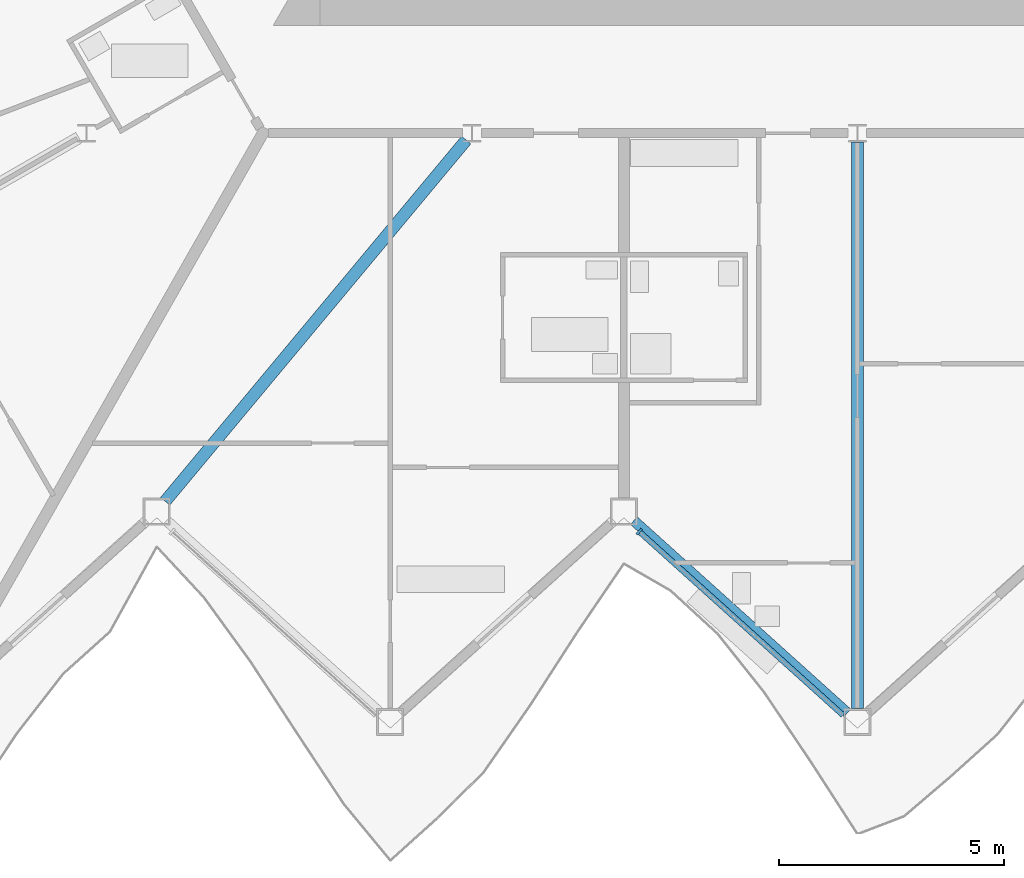
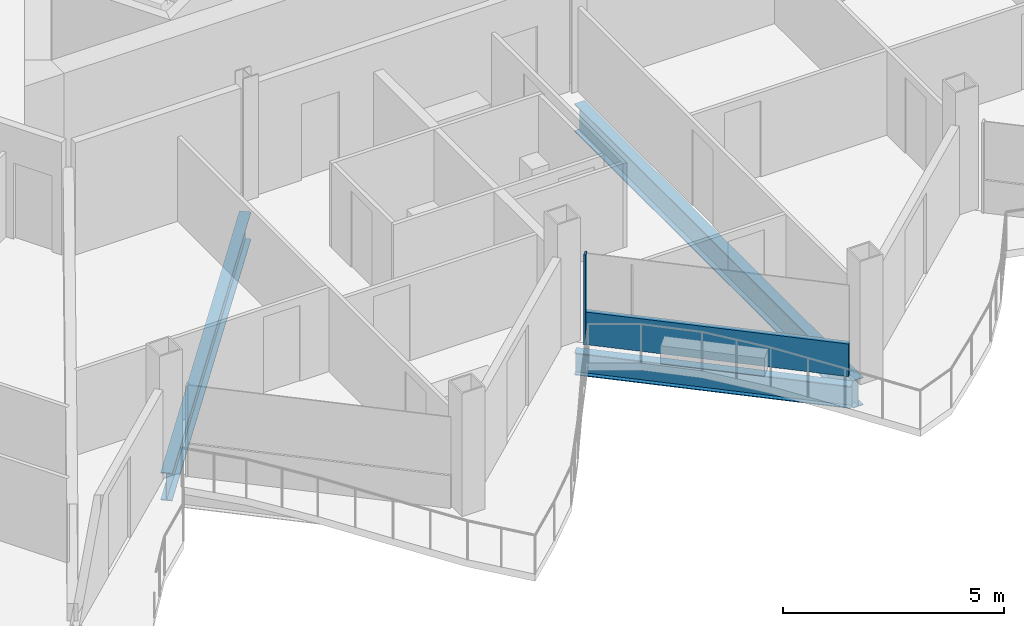
# One storey, part 5 of 26: 3 beams, 2 members, 1 element without a shape of its own.
"""IFC4 building model written with IfcOpenShell, lengths in metres."""

import ifcopenshell
import ifcopenshell.guid

model = None  # the IFC model being written
_history = None  # IfcOwnerHistory: only IFC2X3 demands one
_inside = {}  # id of a spatial element -> (the spatial element, [elements in it])
_under = {}  # id of a project, library or spatial element -> (it, [spatial elements below it])
_declared = {}  # id of a project -> (the project, [libraries it declares])
_typed = {}  # id of a type object -> (the type object, [elements of that type])
_made_of = {}  # id of a material, layer set ... -> (it, [elements and type objects made of it])


def new_model(schema):
    """Start an empty IFC model of exactly this schema.

    Asked for "IFC4X3", IfcOpenShell would pick the latest addendum, in which some entities
    have other attributes; the version numbers below select the first issue.
    IFC2X3 requires an IfcOwnerHistory on every rooted entity: one is made here for all.
    """
    global model, _history
    if schema == "IFC4X3":
        model = ifcopenshell.file(schema_version=(4, 3, 0, 0))
    else:
        model = ifcopenshell.file(schema=schema)
    _inside.clear()
    _under.clear()
    _declared.clear()
    _typed.clear()
    _made_of.clear()
    _history = None
    if model.schema == "IFC2X3":
        org = make("IfcOrganization", Name="unknown")
        user = make(
            "IfcPersonAndOrganization",
            ThePerson=make("IfcPerson", FamilyName="unknown"),
            TheOrganization=org,
        )
        app = make(
            "IfcApplication",
            ApplicationDeveloper=org,
            Version="unknown",
            ApplicationFullName="unknown",
            ApplicationIdentifier="unknown",
        )
        _history = make(
            "IfcOwnerHistory",
            OwningUser=user,
            OwningApplication=app,
            ChangeAction="ADDED",
            CreationDate=0,
        )
    return model


def make(cls, **values):
    """One entity of the class cls with the attributes given. An attribute that is None is left unset."""
    return model.create_entity(
        cls, **{name: value for name, value in values.items() if value is not None}
    )


def rooted(cls, **values):
    """An entity with a GlobalId (a new one), such as an element, a storey or a relation."""
    return make(cls, GlobalId=ifcopenshell.guid.new(), OwnerHistory=_history, **values)


def si_unit(unit_type, name, prefix=None):
    """IfcSIUnit, for example si_unit("LENGTHUNIT", "METRE", prefix="MILLI")."""
    return make("IfcSIUnit", UnitType=unit_type, Prefix=prefix, Name=name)


def assignment(units):
    """IfcUnitAssignment: the units of a project."""
    return None if units is None else make("IfcUnitAssignment", Units=units)


def point(xyz):
    """IfcCartesianPoint."""
    return None if xyz is None else make("IfcCartesianPoint", Coordinates=xyz)


def direction(xyz):
    """IfcDirection."""
    return None if xyz is None else make("IfcDirection", DirectionRatios=xyz)


def frame(location, z_axis=None, x_axis=None):
    """IfcAxis2Placement3D, a coordinate frame: its origin and axes. An axis left out is left unset."""
    return make(
        "IfcAxis2Placement3D",
        Location=point(location),
        Axis=direction(z_axis),
        RefDirection=direction(x_axis),
    )


def frame_2d(location, x_axis=None):
    """IfcAxis2Placement2D, a coordinate frame in the plane: its origin and x axis."""
    return make(
        "IfcAxis2Placement2D", Location=point(location), RefDirection=direction(x_axis)
    )


def origin():
    """The frame at (0, 0, 0) with its axes left unset."""
    return frame((0.0, 0.0, 0.0))


def origin_2d():
    """The frame at (0, 0) in the plane with its x axis left unset."""
    return frame_2d((0.0, 0.0))


def place(relative_to, where):
    """IfcLocalPlacement: puts the frame where relative to a parent placement (None: the world)."""
    return make(
        "IfcLocalPlacement", PlacementRelTo=relative_to, RelativePlacement=where
    )


def context(
    kind, dimensions, precision=None, world=None, true_north=None, identifier=None
):
    """IfcGeometricRepresentationContext, for example the 3D "Model" context."""
    return make(
        "IfcGeometricRepresentationContext",
        ContextIdentifier=identifier,
        ContextType=kind,
        CoordinateSpaceDimension=dimensions,
        Precision=precision,
        WorldCoordinateSystem=world,
        TrueNorth=true_north,
    )


def subcontext(parent, identifier, kind, view, scale=None):
    """IfcGeometricRepresentationSubContext, for example "Body" below "Model"."""
    return make(
        "IfcGeometricRepresentationSubContext",
        ContextIdentifier=identifier,
        ContextType=kind,
        ParentContext=parent,
        TargetScale=scale,
        TargetView=view,
    )


def project(units=None, contexts=None):
    """IfcProject with its units and contexts."""
    return rooted(
        "IfcProject",
        Name="project",
        RepresentationContexts=contexts,
        UnitsInContext=assignment(units),
    )


def spatial(cls, under=None, at=None, **own):
    """A site, building, storey or space (cls), placed at a placement, below another one or the project."""
    s = rooted(cls, ObjectPlacement=at, **own)
    if under is not None:
        _under.setdefault(under.id(), (under, []))[1].append(s)
    return s


def profile(cls, at=None, kind="AREA", **sizes):
    """A parametric profile (cls). Its sizes go by their IFC names, for example OverallWidth=200.0."""
    return make(cls, ProfileType=kind, Position=at, **sizes)


def rectangle(**sizes):
    """IfcRectangleProfileDef."""
    return profile("IfcRectangleProfileDef", **sizes)


def i_section(**sizes):
    """IfcIShapeProfileDef."""
    return profile("IfcIShapeProfileDef", **sizes)


def extrude(swept, where, along, depth):
    """IfcExtrudedAreaSolid: the profile swept, set in the frame where, extruded along a direction by depth."""
    return make(
        "IfcExtrudedAreaSolid",
        SweptArea=swept,
        Position=where,
        ExtrudedDirection=direction(along),
        Depth=depth,
    )


def shape(context_of_items, identifier, shape_type, items):
    """IfcShapeRepresentation: the items that make up one representation, for example the "Body"."""
    return make(
        "IfcShapeRepresentation",
        ContextOfItems=context_of_items,
        RepresentationIdentifier=identifier,
        RepresentationType=shape_type,
        Items=items,
    )


def material(Name=None, Category=None):
    """IfcMaterial."""
    return make("IfcMaterial", Name=Name, Category=Category)


def layer(
    of_material, thickness, ventilated=None, Name=None, Category=None, Priority=None
):
    """IfcMaterialLayer: one layer of a wall or slab, of a material (None: an air gap)."""
    return make(
        "IfcMaterialLayer",
        Material=of_material,
        LayerThickness=thickness,
        IsVentilated=ventilated,
        Name=Name,
        Category=Category,
        Priority=Priority,
    )


def layer_set(layers, Name=None):
    """IfcMaterialLayerSet."""
    return make("IfcMaterialLayerSet", MaterialLayers=layers, LayerSetName=Name)


def material_profile(
    of_material, cross_section, Name=None, Category=None, Priority=None
):
    """IfcMaterialProfile: a cross section and its material."""
    return make(
        "IfcMaterialProfile",
        Name=Name,
        Material=of_material,
        Profile=cross_section,
        Priority=Priority,
        Category=Category,
    )


def profile_set(profiles, Name=None, composite=None):
    """IfcMaterialProfileSet."""
    return make(
        "IfcMaterialProfileSet",
        Name=Name,
        MaterialProfiles=profiles,
        CompositeProfile=composite,
    )


def made_of(thing, what):
    """Note that an element or type object is made of a material, layer set ...; save() writes the relation."""
    if what is not None:
        _made_of.setdefault(what.id(), (what, []))[1].append(thing)
    return thing


def type_object(cls, material=None, **own):
    """A type object (cls), such as IfcWallType, which elements share."""
    return made_of(rooted(cls, **own), material)


def element(
    cls,
    number,
    at=None,
    inside=None,
    cuts=None,
    type_object=None,
    material=None,
    context=None,
    identifier="Body",
    shape_type=None,
    held_by="IfcProductDefinitionShape",
    body=None,
    shapes=None,
    **own,
):
    """One element of the class cls, such as IfcWall. Its Tag is "e" and its number.

    at: its placement. inside: the storey or other place that contains it. cuts: it is an
    opening in that element (IfcRelVoidsElement). A single representation is given by context,
    identifier, shape_type and body (its items); several are given by shapes. held_by: the class
    of the entity that holds the representations. save() writes the other relations.
    """
    e = rooted(cls, Tag="e%d" % number, ObjectPlacement=at, **own)
    if body is not None:
        shapes = [shape(context, identifier, shape_type, body)]
    if shapes is not None:
        e.Representation = make(held_by, Representations=shapes)
    if inside is not None:
        _inside.setdefault(inside.id(), (inside, []))[1].append(e)
    if cuts is not None:
        rooted(
            "IfcRelVoidsElement", RelatingBuildingElement=cuts, RelatedOpeningElement=e
        )
    if type_object is not None:
        _typed.setdefault(type_object.id(), (type_object, []))[1].append(e)
    return made_of(e, material)


def aggregate(whole, parts):
    """IfcRelAggregates: a whole, such as a stair, and the parts it consists of."""
    return rooted("IfcRelAggregates", RelatingObject=whole, RelatedObjects=parts)


def save(model, path):
    """Write the relations noted so far, then the file.

    IfcRelAggregates (storeys below a building ...), IfcRelContainedInSpatialStructure (elements
    in a storey), IfcRelDefinesByType, IfcRelAssociatesMaterial and IfcRelDeclares: one each for
    every whole, place, type object, material and project.
    """
    for whole, parts in _under.values():
        aggregate(whole, parts)
    for where, things in _inside.values():
        rooted(
            "IfcRelContainedInSpatialStructure",
            RelatedElements=things,
            RelatingStructure=where,
        )
    for kind, things in _typed.values():
        rooted("IfcRelDefinesByType", RelatedObjects=things, RelatingType=kind)
    for what, things in _made_of.values():
        rooted("IfcRelAssociatesMaterial", RelatedObjects=things, RelatingMaterial=what)
    for by, libraries in _declared.values():
        rooted("IfcRelDeclares", RelatingContext=by, RelatedDefinitions=libraries)
    model.write(path)


model = new_model("IFC4")

# Units and contexts
model_context = context("Model", 3, precision=1e-05, world=origin(), true_north=direction((0.0, 1.0)))
body_context = subcontext(model_context, "Body", "Model", "MODEL_VIEW")
ifc_project = project(units=[si_unit("LENGTHUNIT", "METRE"), si_unit("AREAUNIT", "SQUARE_METRE"), si_unit("VOLUMEUNIT", "CUBIC_METRE"), si_unit("PLANEANGLEUNIT", "RADIAN"), si_unit("MASSUNIT", "GRAM", prefix="KILO")], contexts=[model_context])

# Site, building, storey
site_placement = place(None, origin())
site = spatial("IfcSite", under=ifc_project, at=site_placement, CompositionType="ELEMENT")
building_placement = place(site_placement, origin())
building = spatial("IfcBuilding", under=site, at=building_placement, Name="Cormorant Prow Tower", CompositionType="ELEMENT")
storey_placement = place(building_placement, frame((0.0, 0.0, 342.60009765625)))
storey = spatial("IfcBuildingStorey", under=building, at=storey_placement, Name="L77", CompositionType="ELEMENT", Elevation=342.60009765625)

# Beams
ifc_material_1 = material(Name="Structural steel ASTM A992 Gr 50", Category="steel")
ifc_material_profile_1 = material_profile(ifc_material_1, i_section(OverallWidth=0.267822265625, OverallDepth=0.77001953125, WebThickness=0.015625, FlangeThickness=0.025390625, at=origin_2d()), Name="W30x132")
ifc_profile_set_1 = profile_set([ifc_material_profile_1], Name="Structural steel ASTM A992 Gr 50")
beam_type_1 = type_object("IfcBeamType", Name="Radial floor beam W30x132", PredefinedType="BEAM", material=ifc_profile_set_1)
beam_1_placement = place(storey_placement, frame((-8.705078125, -10.057373046875, -0.68505859375), z_axis=(-0.640239469619, -0.768175384624, 0.0), x_axis=(0.768175384624, -0.640239469619, 0.0)))
element("IfcBeam", 1, at=beam_1_placement, inside=storey, type_object=beam_type_1, Name="Radial floor beam FB3 6 L77", PredefinedType="BEAM", context=body_context, shape_type="SweptSolid", body=[
    extrude(i_section(OverallWidth=0.267822265625, OverallDepth=0.77001953125, WebThickness=0.015625, FlangeThickness=0.025390625, at=origin_2d()), origin(), (0.0, 0.0, 1.0), 10.465087890625),
])
beam_2_placement = place(storey_placement, frame((0.0, -10.103271484375, -0.68505859375), z_axis=(0.0, -1.0, 0.0), x_axis=(1.0, 0.0, 0.0)))
element("IfcBeam", 2, at=beam_2_placement, inside=storey, type_object=beam_type_1, Name="Radial floor beam FB3 7 L77", PredefinedType="BEAM", context=body_context, shape_type="SweptSolid", body=[
    extrude(i_section(OverallWidth=0.267822265625, OverallDepth=0.77001953125, WebThickness=0.015625, FlangeThickness=0.025390625, at=origin_2d()), origin(), (0.0, 0.0, 1.0), 12.604736328125),
])

# Curtain wall, members
ifc_material_2 = material(Name="Aluminium 6063-T6", Category="aluminium")
ifc_layer = layer(ifc_material_2, 0.159912109375)
ifc_layer_set = layer_set([ifc_layer], Name="Aluminium 6063-T6")
curtain_wall_type = type_object("IfcCurtainWallType", Name="Residential unitised curtain wall 160", PredefinedType="NOTDEFINED", material=ifc_layer_set)
curtain_wall_placement = place(storey_placement, origin())
curtain_wall = element("IfcCurtainWall", 3, at=curtain_wall_placement, inside=storey, type_object=curtain_wall_type, Name="Residential curtain wall S04", PredefinedType="NOTDEFINED")
ifc_material_3 = material(Name="Aluminium 6063-T6", Category="aluminium")
ifc_material_profile_2 = material_profile(ifc_material_3, rectangle(XDim=0.159912109375, YDim=0.050048828125, at=origin_2d()), Name="Residential mullion 50x160")
ifc_profile_set_2 = profile_set([ifc_material_profile_2], Name="Aluminium 6063-T6")
member_type_1 = type_object("IfcMemberType", Name="Residential mullion 50x160", PredefinedType="MULLION", material=ifc_profile_set_2)
member_1_placement = place(storey_placement, frame((-4.8564453125, -18.772705078125, 0.0), z_axis=(0.0, 0.0, 1.0), x_axis=(0.669130588071, 0.743144841944, 0.0)))
member_1 = element("IfcMember", 4, at=member_1_placement, type_object=member_type_1, Name="Residential mullion S04", PredefinedType="MULLION", context=body_context, shape_type="SweptSolid", body=[
    extrude(rectangle(XDim=0.159912109375, YDim=0.050048828125, at=origin_2d()), origin(), (0.0, 0.0, 1.0), 2.48779296875),
])
ifc_material_4 = material(Name="Terracotta", Category="masonry")
ifc_material_profile_3 = material_profile(ifc_material_4, rectangle(XDim=0.1201171875, YDim=0.89990234375, at=origin_2d()), Name="Residential terracotta spandrel rail 120x900")
ifc_profile_set_3 = profile_set([ifc_material_profile_3], Name="Terracotta")
member_type_2 = type_object("IfcMemberType", Name="Residential terracotta spandrel rail 120x900", PredefinedType="USERDEFINED", material=ifc_profile_set_3)
member_2_placement = place(storey_placement, frame((-4.837890625, -18.789306640625, 0.449951171875), z_axis=(0.743144281997, -0.669131209954, 0.0), x_axis=(0.669131209954, 0.743144281997, 0.0)))
member_2 = element("IfcMember", 5, at=member_2_placement, type_object=member_type_2, Name="Residential spandrel rail S04", ObjectType="TRANSOM", PredefinedType="USERDEFINED", context=body_context, shape_type="SweptSolid", body=[
    extrude(rectangle(XDim=0.1201171875, YDim=0.89990234375, at=origin_2d()), origin(), (0.0, 0.0, 1.0), 6.075927734375),
])
aggregate(curtain_wall, [member_1, member_2])

# Beam
ifc_material_5 = material(Name="Structural steel ASTM A992 Gr 50", Category="steel")
ifc_material_profile_4 = material_profile(ifc_material_5, i_section(OverallWidth=0.22900390625, OverallDepth=0.612060546875, WebThickness=0.011962890625, FlangeThickness=0.01953125, at=origin_2d()), Name="W24x84")
ifc_profile_set_4 = profile_set([ifc_material_profile_4], Name="Structural steel ASTM A992 Gr 50")
beam_type_2 = type_object("IfcBeamType", Name="Spandrel beam W24x84", PredefinedType="SPANDREL", material=ifc_profile_set_4)
beam_3_placement = place(storey_placement, frame((-4.97607421875, -18.527587890625, -0.606201171875), z_axis=(0.743144186555, -0.669131315954, 0.0), x_axis=(0.669131315954, 0.743144186555, 0.0)))
element("IfcBeam", 6, at=beam_3_placement, inside=storey, type_object=beam_type_2, Name="Spandrel beam SB3 S04-S05 L77", PredefinedType="SPANDREL", context=body_context, shape_type="SweptSolid", body=[
    extrude(i_section(OverallWidth=0.22900390625, OverallDepth=0.612060546875, WebThickness=0.011962890625, FlangeThickness=0.01953125, at=origin_2d()), origin(), (0.0, 0.0, 1.0), 6.39599609375),
])

save(model, "model.ifc")
